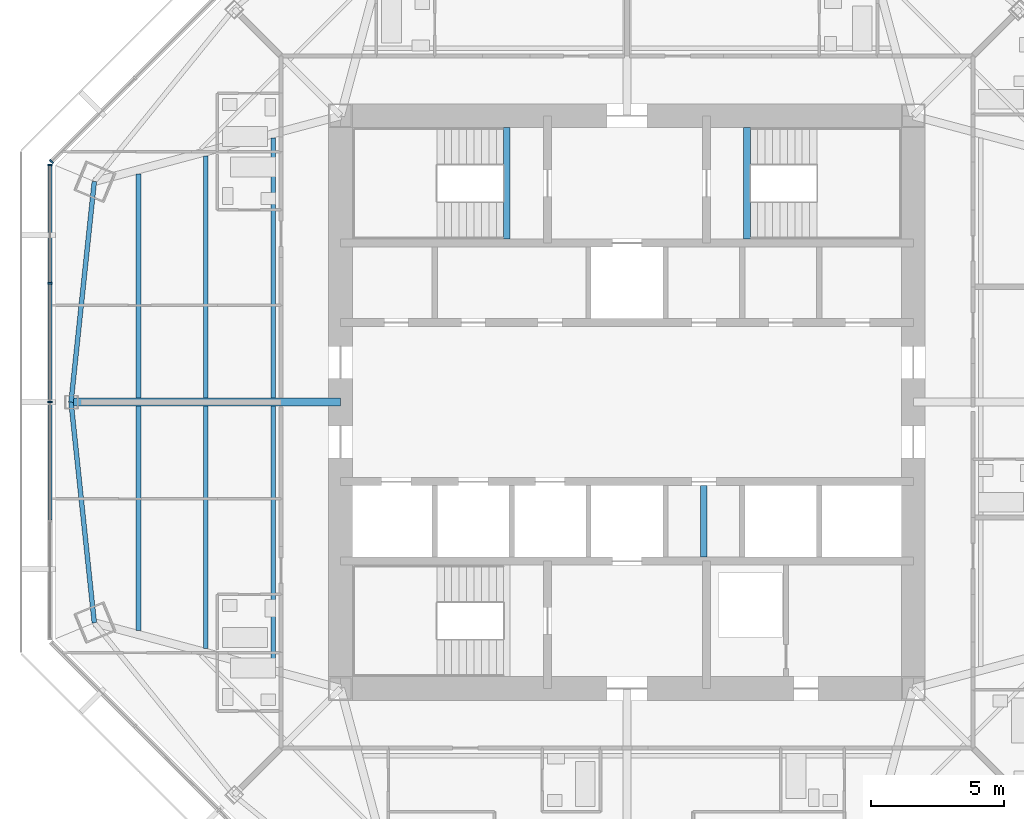
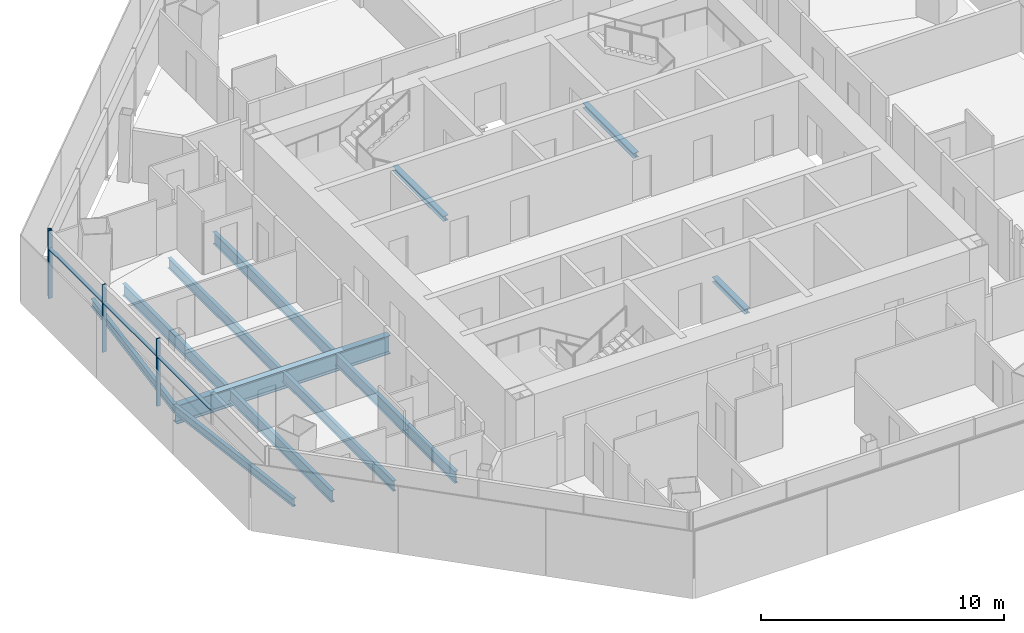
# One storey, part 3 of 15: 12 beams, 7 members, 2 elements without a shape of their own.
"""IFC4 building model written with IfcOpenShell, lengths in metres."""

from ifc_helpers import new_model, si_unit, direction, frame, origin, origin_2d, place, context, subcontext, project, spatial, rectangle, i_section, extrude, source, transform, mapped, material, material_profile, profile_set, type_object, type_shapes, element, aggregate, save


model = new_model("IFC4")

# Units and contexts
model_context = context("Model", 3, precision=1e-05, world=origin(), true_north=direction((0.0, 1.0)))
body_context = subcontext(model_context, "Body", "Model", "MODEL_VIEW")
ifc_project = project(units=[si_unit("LENGTHUNIT", "METRE"), si_unit("AREAUNIT", "SQUARE_METRE"), si_unit("VOLUMEUNIT", "CUBIC_METRE"), si_unit("PLANEANGLEUNIT", "RADIAN"), si_unit("MASSUNIT", "GRAM", prefix="KILO")], contexts=[model_context])

# Site, building, storey
site_placement = place(None, origin())
site = spatial("IfcSite", under=ifc_project, at=site_placement, CompositionType="ELEMENT")
building_placement = place(site_placement, origin())
building = spatial("IfcBuilding", under=site, at=building_placement, Name="Mashrafa Tower", CompositionType="ELEMENT")
storey_placement = place(building_placement, frame((0.0, 0.0, 221.0)))
storey = spatial("IfcBuildingStorey", under=building, at=storey_placement, Name="L51", CompositionType="ELEMENT", Elevation=221.0)

# Beams
ifc_material_1 = material(Name="Steel ASTM A992", Category="steel")
ifc_material_profile_1 = material_profile(ifc_material_1, i_section(OverallWidth=0.177734375, OverallDepth=0.406494140625, WebThickness=0.0078125, FlangeThickness=0.012939453125, FilletRadius=0.01025390625, at=origin_2d()), Name="W16X40")
ifc_profile_set_1 = profile_set([ifc_material_profile_1], Name="Steel ASTM A992")
beam_type_1 = type_object("IfcBeamType", Name="Beam W16X40", PredefinedType="BEAM", material=ifc_profile_set_1)
for number, where, z_axis, x_axis, name in (
    (1, (-20.968505859375, 0.0, -0.4033203125), (0.104944483385, -0.994478081914, 0.0), (0.994478081914, 0.104944483385, 0.0), "Spandrel beam L51 049"),
    (2, (-20.09033203125, 8.32177734375, -0.4033203125), (-0.104944483385, -0.994478081914, 0.0), (0.994478081914, -0.104944483385, 0.0), "Spandrel beam L51 051"),
):
    element("IfcBeam", number, at=place(storey_placement, frame(where, z_axis=z_axis, x_axis=x_axis)), inside=storey, type_object=beam_type_1, Name=name, PredefinedType="BEAM", context=body_context, shape_type="SweptSolid", body=[
        extrude(i_section(OverallWidth=0.177734375, OverallDepth=0.406494140625, WebThickness=0.0078125, FlangeThickness=0.012939453125, FilletRadius=0.01025390625, at=origin_2d()), origin(), (0.0, 0.0, 1.0), 8.367919921875),
    ])
ifc_material_2 = material(Name="Steel ASTM A992", Category="steel")
ifc_material_profile_2 = material_profile(ifc_material_2, i_section(OverallWidth=0.1650390625, OverallDepth=0.52587890625, WebThickness=0.0087890625, FlangeThickness=0.011474609375, FilletRadius=0.0126953125, at=origin_2d()), Name="W21X44")
ifc_profile_set_2 = profile_set([ifc_material_profile_2], Name="Steel ASTM A992")
beam_type_2 = type_object("IfcBeamType", Name="Beam W21X44", PredefinedType="BEAM", material=ifc_profile_set_2)
for number, where, z_axis, x_axis, name in (
    (3, (-15.88427734375, -9.285888671875, -0.462890625), (0.0, 1.0, 0.0), (-1.0, 0.0, 0.0), "Floor beam L51 004"),
    (4, (-15.88427734375, 0.15380859375, -0.462890625), (0.0, 1.0, 0.0), (-1.0, 0.0, 0.0), "Floor beam L51 005"),
):
    element("IfcBeam", number, at=place(storey_placement, frame(where, z_axis=z_axis, x_axis=x_axis)), inside=storey, type_object=beam_type_2, Name=name, PredefinedType="BEAM", context=body_context, shape_type="SweptSolid", body=[
        extrude(i_section(OverallWidth=0.1650390625, OverallDepth=0.52587890625, WebThickness=0.0087890625, FlangeThickness=0.011474609375, FilletRadius=0.0126953125, at=origin_2d()), origin(), (0.0, 0.0, 1.0), 9.132080078125),
    ])
ifc_material_3 = material(Name="Steel ASTM A992", Category="steel")
ifc_material_profile_3 = material_profile(ifc_material_3, i_section(OverallWidth=0.177978515625, OverallDepth=0.599365234375, WebThickness=0.010009765625, FlangeThickness=0.012939453125, FilletRadius=0.012939453125, at=origin_2d()), Name="W24X55")
ifc_profile_set_3 = profile_set([ifc_material_profile_3], Name="Steel ASTM A992")
beam_type_3 = type_object("IfcBeamType", Name="Beam W24X55", PredefinedType="BEAM", material=ifc_profile_set_3)
for number, where, z_axis, x_axis, name in (
    (5, (-18.426513671875, -8.60791015625, -0.499755859375), (0.0, 1.0, 0.0), (-1.0, 0.0, 0.0), "Floor beam L51 001"),
    (6, (-18.426513671875, 0.15380859375, -0.499755859375), (0.0, 1.0, 0.0), (-1.0, 0.0, 0.0), "Floor beam L51 002"),
):
    element("IfcBeam", number, at=place(storey_placement, frame(where, z_axis=z_axis, x_axis=x_axis)), inside=storey, type_object=beam_type_3, Name=name, PredefinedType="BEAM", context=body_context, shape_type="SweptSolid", body=[
        extrude(i_section(OverallWidth=0.177978515625, OverallDepth=0.599365234375, WebThickness=0.010009765625, FlangeThickness=0.012939453125, FilletRadius=0.012939453125, at=origin_2d()), origin(), (0.0, 0.0, 1.0), 8.4541015625),
    ])
for number, where, z_axis, x_axis, name in (
    (7, (-13.34228515625, -9.964111328125, -0.499755859375), (0.0, 1.0, 0.0), (-1.0, 0.0, 0.0), "Floor beam L51 006"),
    (8, (-13.34228515625, 0.15380859375, -0.499755859375), (0.0, 1.0, 0.0), (-1.0, 0.0, 0.0), "Floor beam L51 007"),
):
    element("IfcBeam", number, at=place(storey_placement, frame(where, z_axis=z_axis, x_axis=x_axis)), inside=storey, type_object=beam_type_3, Name=name, PredefinedType="BEAM", context=body_context, shape_type="SweptSolid", body=[
        extrude(i_section(OverallWidth=0.177978515625, OverallDepth=0.599365234375, WebThickness=0.010009765625, FlangeThickness=0.012939453125, FilletRadius=0.012939453125, at=origin_2d()), origin(), (0.0, 0.0, 1.0), 9.810302734375),
    ])
ifc_material_4 = material(Name="Steel ASTM A992", Category="steel")
ifc_material_profile_4 = material_profile(ifc_material_4, i_section(OverallWidth=0.307373046875, OverallDepth=0.927001953125, WebThickness=0.01953125, FlangeThickness=0.031982421875, FilletRadius=0.01904296875, at=origin_2d()), Name="W36X194")
ifc_profile_set_4 = profile_set([ifc_material_profile_4], Name="Steel ASTM A992")
beam_type_4 = type_object("IfcBeamType", Name="Beam W36X194", PredefinedType="BEAM", material=ifc_profile_set_4)
beam_1_placement = place(storey_placement, frame((-10.800048828125, 0.0, -0.66357421875), z_axis=(-1.0, 0.0, 0.0), x_axis=(0.0, -1.0, 0.0)))
element("IfcBeam", 9, at=beam_1_placement, inside=storey, type_object=beam_type_4, Name="Radial girder L51 036", PredefinedType="BEAM", context=body_context, shape_type="SweptSolid", body=[
    extrude(i_section(OverallWidth=0.307373046875, OverallDepth=0.927001953125, WebThickness=0.01953125, FlangeThickness=0.031982421875, FilletRadius=0.01904296875, at=origin_2d()), origin(), (0.0, 0.0, 1.0), 10.16845703125),
])
ifc_material_5 = material(Name="Steel ASTM A992", Category="steel")
ifc_material_profile_5 = material_profile(ifc_material_5, i_section(OverallWidth=0.25390625, OverallDepth=0.25390625, WebThickness=0.008544921875, FlangeThickness=0.01416015625, FilletRadius=0.010009765625, at=origin_2d()), Name="W10X49")
ifc_profile_set_5 = profile_set([ifc_material_profile_5], Name="Steel ASTM A992")
beam_type_5 = type_object("IfcBeamType", Name="Hoistway beam W10X49", PredefinedType="BEAM", material=ifc_profile_set_5)
beam_2_placement = place(storey_placement, frame((2.89990234375, -5.85009765625, -0.326904296875), z_axis=(0.0, 1.0, 0.0), x_axis=(-1.0, 0.0, 0.0)))
element("IfcBeam", 10, at=beam_2_placement, inside=storey, type_object=beam_type_5, Name="Hoistway beam L51 07", PredefinedType="BEAM", context=body_context, shape_type="SweptSolid", body=[
    extrude(i_section(OverallWidth=0.25390625, OverallDepth=0.25390625, WebThickness=0.008544921875, FlangeThickness=0.01416015625, FilletRadius=0.010009765625, at=origin_2d()), origin(), (0.0, 0.0, 1.0), 2.7001953125),
])
for number, where, z_axis, x_axis, name in (
    (11, (-4.530029296875, 6.14990234375, -0.326904296875), (0.0, 1.0, 0.0), (-1.0, 0.0, 0.0), "Stair S1 landing beam L51"),
    (12, (4.530029296875, 6.14990234375, -0.326904296875), (0.0, 1.0, 0.0), (-1.0, 0.0, 0.0), "Stair S2 landing beam L51"),
):
    element("IfcBeam", number, at=place(storey_placement, frame(where, z_axis=z_axis, x_axis=x_axis)), inside=storey, type_object=beam_type_5, Name=name, PredefinedType="BEAM", context=body_context, shape_type="SweptSolid", body=[
        extrude(i_section(OverallWidth=0.25390625, OverallDepth=0.25390625, WebThickness=0.008544921875, FlangeThickness=0.01416015625, FilletRadius=0.010009765625, at=origin_2d()), origin(), (0.0, 0.0, 1.0), 4.2001953125),
    ])

# Curtain wall, member
ifc_material_6 = material(Name="Unitised aluminium curtain wall", Category="aluminium")
curtain_wall_type = type_object("IfcCurtainWallType", Name="Apartment curtain wall, zone 3 CW-C 180 deep", PredefinedType="NOTDEFINED", material=ifc_material_6)
curtain_wall_1_placement = place(storey_placement, origin())
curtain_wall_1 = element("IfcCurtainWall", 13, at=curtain_wall_1_placement, inside=storey, type_object=curtain_wall_type, Name="Apartment curtain wall, zone 3 L51 north-west", PredefinedType="NOTDEFINED")
ifc_material_7 = material(Name="Extruded aluminium mullion", Category="aluminium")
ifc_material_profile_6 = material_profile(ifc_material_7, rectangle(XDim=0.179931640625, YDim=0.06005859375, at=origin_2d()), Name="Mullion 60x180")
ifc_profile_set_6 = profile_set([ifc_material_profile_6], Name="Extruded aluminium mullion")
member_type_1 = type_object("IfcMemberType", Name="Mullion CW-C 60 x 180", PredefinedType="MULLION", material=ifc_profile_set_6)
shared_shape_1 = source(origin(), body_context, "Body", "SweptSolid", [
    extrude(rectangle(XDim=0.179931640625, YDim=0.06005859375, at=origin_2d()), origin(), (0.0, 0.0, 1.0), 3.39990234375),
])
type_shapes(member_type_1, [shared_shape_1])
member_1_placement = place(storey_placement, frame((-21.708251953125, 9.069091796875, 0.0), z_axis=(0.0, 0.0, 1.0), x_axis=(0.707106781187, -0.707106781187, 0.0)))
member_1 = element("IfcMember", 14, at=member_1_placement, type_object=member_type_1, Name="CW-C mullion 5", PredefinedType="MULLION", context=body_context, shape_type="MappedRepresentation", body=[
    mapped(shared_shape_1, transform((0.0, 0.0, 0.0))),
])
aggregate(curtain_wall_1, [member_1])

# Curtain wall, members
curtain_wall_2_placement = place(storey_placement, origin())
curtain_wall_2 = element("IfcCurtainWall", 15, at=curtain_wall_2_placement, inside=storey, type_object=curtain_wall_type, Name="Apartment curtain wall, zone 3 L51 west", PredefinedType="NOTDEFINED")
member_2_placement = place(storey_placement, frame((-21.762939453125, 8.937255859375, 0.0), z_axis=(0.0, 0.0, 1.0), x_axis=(1.0, 0.0, 0.0)))
member_2 = element("IfcMember", 16, at=member_2_placement, type_object=member_type_1, Name="CW-C mullion 1", PredefinedType="MULLION", context=body_context, shape_type="MappedRepresentation", body=[
    mapped(shared_shape_1, transform((0.0, 0.0, 0.0))),
])
member_3_placement = place(storey_placement, frame((-21.762939453125, 4.483642578125, 0.0), z_axis=(0.0, 0.0, 1.0), x_axis=(1.0, 0.0, 0.0)))
member_3 = element("IfcMember", 17, at=member_3_placement, type_object=member_type_1, Name="CW-C mullion 2", PredefinedType="MULLION", context=body_context, shape_type="MappedRepresentation", body=[
    mapped(shared_shape_1, transform((0.0, 0.0, 0.0))),
])
member_4_placement = place(storey_placement, frame((-21.762939453125, 0.0, 0.0), z_axis=(0.0, 0.0, 1.0), x_axis=(1.0, 0.0, 0.0)))
member_4 = element("IfcMember", 18, at=member_4_placement, type_object=member_type_1, Name="CW-C mullion 3", PredefinedType="MULLION", context=body_context, shape_type="MappedRepresentation", body=[
    mapped(shared_shape_1, transform((0.0, 0.0, 0.0))),
])
ifc_material_8 = material(Name="Extruded aluminium transom", Category="aluminium")
ifc_material_profile_7 = material_profile(ifc_material_8, rectangle(XDim=0.14404296875, YDim=0.074951171875, at=origin_2d()), Name="Transom 75x144")
ifc_profile_set_7 = profile_set([ifc_material_profile_7], Name="Extruded aluminium transom")
member_type_2 = type_object("IfcMemberType", Name="Transom CW-C 75 x 144", PredefinedType="MULLION", material=ifc_profile_set_7)
shared_shape_2 = source(origin(), body_context, "Body", "SweptSolid", [
    extrude(rectangle(XDim=0.14404296875, YDim=0.074951171875, at=origin_2d()), origin(), (0.0, 0.0, 1.0), 4.3935546875),
])
member_5_placement = place(storey_placement, frame((-21.762939453125, 8.9072265625, 2.5), z_axis=(0.0, -1.0, 0.0), x_axis=(1.0, 0.0, 0.0)))
member_5 = element("IfcMember", 19, at=member_5_placement, type_object=member_type_2, Name="CW-C transom 1", PredefinedType="MULLION", context=body_context, shape_type="MappedRepresentation", body=[
    mapped(shared_shape_2, transform((0.0, 0.0, 0.0))),
])
shared_shape_3 = source(origin(), body_context, "Body", "SweptSolid", [
    extrude(rectangle(XDim=0.14404296875, YDim=0.074951171875, at=origin_2d()), origin(), (0.0, 0.0, 1.0), 4.423583984375),
])
type_shapes(member_type_2, [shared_shape_2, shared_shape_3])
member_6_placement = place(storey_placement, frame((-21.762939453125, 4.45361328125, 2.5), z_axis=(0.0, -1.0, 0.0), x_axis=(1.0, 0.0, 0.0)))
member_6 = element("IfcMember", 20, at=member_6_placement, type_object=member_type_2, Name="CW-C transom 2", PredefinedType="MULLION", context=body_context, shape_type="MappedRepresentation", body=[
    mapped(shared_shape_3, transform((0.0, 0.0, 0.0))),
])
member_7_placement = place(storey_placement, frame((-21.762939453125, -0.030029296875, 2.5), z_axis=(0.0, -1.0, 0.0), x_axis=(1.0, 0.0, 0.0)))
member_7 = element("IfcMember", 21, at=member_7_placement, type_object=member_type_2, Name="CW-C transom 3", PredefinedType="MULLION", context=body_context, shape_type="MappedRepresentation", body=[
    mapped(shared_shape_3, transform((0.0, 0.0, 0.0))),
])
aggregate(curtain_wall_2, [member_2, member_3, member_4, member_5, member_6, member_7])

save(model, "model.ifc")
